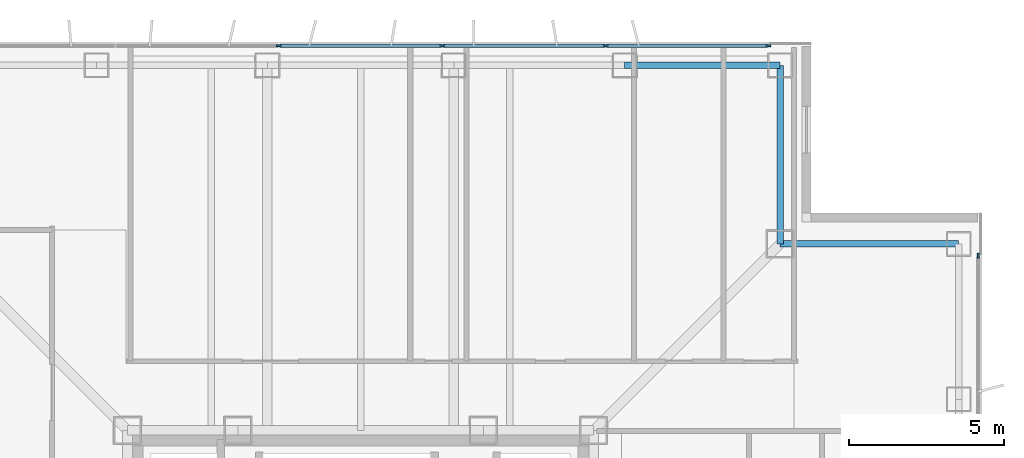
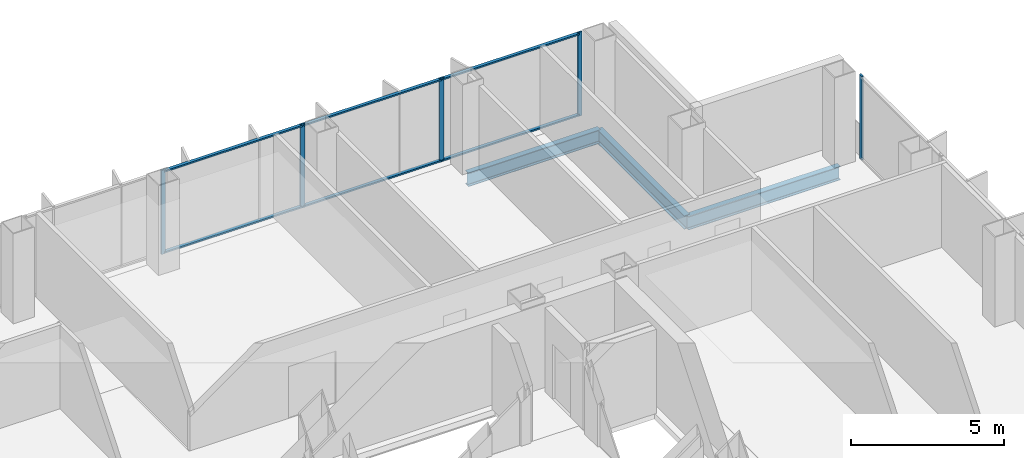
# One storey, part 8 of 17: 11 members, 3 beams, 2 elements without a shape of their own.
"""IFC4 building model written with IfcOpenShell, lengths in metres."""

from ifc_helpers import new_model, si_unit, direction, frame, origin, origin_2d, place, context, subcontext, project, spatial, rectangle, i_section, extrude, material, layer, layer_set, material_profile, profile_set, type_object, element, aggregate, save


model = new_model("IFC4")

# Units and contexts
model_context = context("Model", 3, precision=1e-05, world=origin(), true_north=direction((0.0, 1.0)))
body_context = subcontext(model_context, "Body", "Model", "MODEL_VIEW")
ifc_project = project(units=[si_unit("LENGTHUNIT", "METRE"), si_unit("AREAUNIT", "SQUARE_METRE"), si_unit("VOLUMEUNIT", "CUBIC_METRE"), si_unit("PLANEANGLEUNIT", "RADIAN"), si_unit("MASSUNIT", "GRAM", prefix="KILO")], contexts=[model_context])

# Site, building, storey
site_placement = place(None, origin())
site = spatial("IfcSite", under=ifc_project, at=site_placement, CompositionType="ELEMENT")
building_placement = place(site_placement, origin())
building = spatial("IfcBuilding", under=site, at=building_placement, Name="Trevonay Congress Spire", CompositionType="ELEMENT")
storey_placement = place(building_placement, frame((0.0, 0.0, 184.199951171875)))
storey = spatial("IfcBuildingStorey", under=building, at=storey_placement, Name="L47", CompositionType="ELEMENT", Elevation=184.199951171875)

# Beams
ifc_material_1 = material(Name="Steel ASTM A572 Grade 50", Category="steel")
ifc_material_profile_1 = material_profile(ifc_material_1, i_section(OverallWidth=0.2119140625, OverallDepth=0.5439453125, WebThickness=0.01318359375, FlangeThickness=0.021240234375, FilletRadius=0.014892578125, at=origin_2d()), Name="W530x123")
ifc_profile_set_1 = profile_set([ifc_material_profile_1], Name="Steel ASTM A572 Grade 50")
beam_type = type_object("IfcBeamType", Name="BM-RING-W530X123", PredefinedType="BEAM", material=ifc_profile_set_1)
beam_placement = place(storey_placement, frame((8.5, 19.25, -0.511962890625), z_axis=(1.0, 0.0, 0.0), x_axis=(0.0, 1.0, 0.0)))
element("IfcBeam", 1, at=beam_placement, inside=storey, type_object=beam_type, Name="L47 structural beam BM-L47-PN5", PredefinedType="BEAM", context=body_context, shape_type="SweptSolid", body=[
    extrude(i_section(OverallWidth=0.2119140625, OverallDepth=0.5439453125, WebThickness=0.01318359375, FlangeThickness=0.021240234375, FilletRadius=0.014892578125, at=origin_2d()), origin(), (0.0, 0.0, 1.0), 5.0),
])
for number, where, z_axis, x_axis, name in (
    (2, (13.5, 19.25, -0.511962890625), (0.0, -1.0, 0.0), (1.0, 0.0, 0.0), "L47 structural beam BM-L47-N1NE"),
    (3, (19.25, 13.5, -0.511962890625), (-1.0, 0.0, 0.0), (0.0, -1.0, 0.0), "L47 structural beam BM-L47-N2NE"),
):
    element("IfcBeam", number, at=place(storey_placement, frame(where, z_axis=z_axis, x_axis=x_axis)), inside=storey, type_object=beam_type, Name=name, PredefinedType="BEAM", context=body_context, shape_type="SweptSolid", body=[
        extrude(i_section(OverallWidth=0.2119140625, OverallDepth=0.5439453125, WebThickness=0.01318359375, FlangeThickness=0.021240234375, FilletRadius=0.014892578125, at=origin_2d()), origin(), (0.0, 0.0, 1.0), 5.75),
    ])

# Curtain wall, members
ifc_material_2 = material(Name="Pale Anodised Aluminium EN AW-6063-T6", Category="aluminium")
ifc_layer = layer(ifc_material_2, 0.169921875, Name="Pale Anodised Aluminium EN AW-6063-T6")
ifc_layer_set = layer_set([ifc_layer], Name="Pale Anodised Aluminium EN AW-6063-T6")
curtain_wall_type = type_object("IfcCurtainWallType", Name="CW-SYS04-CORP-PALE-METAL", PredefinedType="NOTDEFINED", material=ifc_layer_set)
curtain_wall_1_placement = place(storey_placement, origin())
curtain_wall_1 = element("IfcCurtainWall", 4, at=curtain_wall_1_placement, inside=storey, type_object=curtain_wall_type, Name="L47 N unitised curtain wall", PredefinedType="NOTDEFINED")
ifc_material_profile_2 = material_profile(ifc_material_2, rectangle(XDim=0.06005859375, YDim=0.159912109375, at=origin_2d()), Name="CW-MULLION-160-ALUMINIUM")
ifc_profile_set_2 = profile_set([ifc_material_profile_2], Name="Pale Anodised Aluminium EN AW-6063-T6")
member_type_1 = type_object("IfcMemberType", Name="CW-MULLION-160-ALUMINIUM", PredefinedType="MULLION", material=ifc_profile_set_2)
member_1_placement = place(storey_placement, frame((-2.6298828125, 19.8798828125, 0.0), z_axis=(0.0, 0.0, 1.0), x_axis=(0.0, 1.0, 0.0)))
member_1 = element("IfcMember", 5, at=member_1_placement, type_object=member_type_1, Name="CW04 mullion 3", PredefinedType="MULLION", context=body_context, shape_type="SweptSolid", body=[
    extrude(rectangle(XDim=0.06005859375, YDim=0.159912109375, at=origin_2d()), origin(), (0.0, 0.0, 1.0), 3.360107421875),
])
member_2_placement = place(storey_placement, frame((2.6298828125, 19.8798828125, 0.0), z_axis=(0.0, 0.0, 1.0), x_axis=(0.0, 1.0, 0.0)))
member_2 = element("IfcMember", 6, at=member_2_placement, type_object=member_type_1, Name="CW04 mullion 4", PredefinedType="MULLION", context=body_context, shape_type="SweptSolid", body=[
    extrude(rectangle(XDim=0.06005859375, YDim=0.159912109375, at=origin_2d()), origin(), (0.0, 0.0, 1.0), 3.360107421875),
])
member_3_placement = place(storey_placement, frame((7.889892578125, 19.8798828125, 0.0), z_axis=(0.0, 0.0, 1.0), x_axis=(0.0, 1.0, 0.0)))
member_3 = element("IfcMember", 7, at=member_3_placement, type_object=member_type_1, Name="CW04 mullion 5", PredefinedType="MULLION", context=body_context, shape_type="SweptSolid", body=[
    extrude(rectangle(XDim=0.06005859375, YDim=0.159912109375, at=origin_2d()), origin(), (0.0, 0.0, 1.0), 3.360107421875),
])
member_4_placement = place(storey_placement, frame((13.1201171875, 19.8798828125, 0.0), z_axis=(0.0, 0.0, 1.0), x_axis=(0.0, 1.0, 0.0)))
member_4 = element("IfcMember", 8, at=member_4_placement, type_object=member_type_1, Name="CW04 mullion 6", PredefinedType="MULLION", context=body_context, shape_type="SweptSolid", body=[
    extrude(rectangle(XDim=0.06005859375, YDim=0.159912109375, at=origin_2d()), origin(), (0.0, 0.0, 1.0), 3.360107421875),
])

# Curtain wall, member
curtain_wall_2_placement = place(storey_placement, origin())
curtain_wall_2 = element("IfcCurtainWall", 9, at=curtain_wall_2_placement, inside=storey, type_object=curtain_wall_type, Name="L47 E unitised curtain wall", PredefinedType="NOTDEFINED")
member_5_placement = place(storey_placement, frame((19.8798828125, 13.1201171875, 0.0), z_axis=(0.0, 0.0, 1.0), x_axis=(-1.0, 0.0, 0.0)))
member_5 = element("IfcMember", 10, at=member_5_placement, type_object=member_type_1, Name="CW04 mullion 6", PredefinedType="MULLION", context=body_context, shape_type="SweptSolid", body=[
    extrude(rectangle(XDim=0.06005859375, YDim=0.159912109375, at=origin_2d()), origin(), (0.0, 0.0, 1.0), 3.360107421875),
])
aggregate(curtain_wall_2, [member_5])

# Member
ifc_material_profile_3 = material_profile(ifc_material_2, rectangle(XDim=0.1201171875, YDim=0.06005859375, at=origin_2d()), Name="CW-TRANSOM-120-ALUMINIUM")
ifc_profile_set_3 = profile_set([ifc_material_profile_3], Name="Pale Anodised Aluminium EN AW-6063-T6")
member_type_2 = type_object("IfcMemberType", Name="CW-TRANSOM-120-ALUMINIUM", PredefinedType="USERDEFINED", material=ifc_profile_set_3)
member_6_placement = place(storey_placement, frame((-2.60009765625, 19.8798828125, 0.06005859375), z_axis=(1.0, 0.0, 0.0), x_axis=(0.0, 1.0, 0.0)))
member_6 = element("IfcMember", 11, at=member_6_placement, type_object=member_type_2, Name="CW04 transom 3.1", ObjectType="TRANSOM", PredefinedType="USERDEFINED", context=body_context, shape_type="SweptSolid", body=[
    extrude(rectangle(XDim=0.1201171875, YDim=0.06005859375, at=origin_2d()), origin(), (0.0, 0.0, 1.0), 5.2001953125),
])

member_7_placement = place(storey_placement, frame((-2.60009765625, 19.8798828125, 3.300048828125), z_axis=(1.0, 0.0, 0.0), x_axis=(0.0, 1.0, 0.0)))
member_7 = element("IfcMember", 12, at=member_7_placement, type_object=member_type_2, Name="CW04 transom 3.2", ObjectType="TRANSOM", PredefinedType="USERDEFINED", context=body_context, shape_type="SweptSolid", body=[
    extrude(rectangle(XDim=0.1201171875, YDim=0.06005859375, at=origin_2d()), origin(), (0.0, 0.0, 1.0), 5.2001953125),
])

member_8_placement = place(storey_placement, frame((2.659912109375, 19.8798828125, 0.06005859375), z_axis=(1.0, 0.0, 0.0), x_axis=(0.0, 1.0, 0.0)))
member_8 = element("IfcMember", 13, at=member_8_placement, type_object=member_type_2, Name="CW04 transom 4.1", ObjectType="TRANSOM", PredefinedType="USERDEFINED", context=body_context, shape_type="SweptSolid", body=[
    extrude(rectangle(XDim=0.1201171875, YDim=0.06005859375, at=origin_2d()), origin(), (0.0, 0.0, 1.0), 5.2001953125),
])

member_9_placement = place(storey_placement, frame((2.659912109375, 19.8798828125, 3.300048828125), z_axis=(1.0, 0.0, 0.0), x_axis=(0.0, 1.0, 0.0)))
member_9 = element("IfcMember", 14, at=member_9_placement, type_object=member_type_2, Name="CW04 transom 4.2", ObjectType="TRANSOM", PredefinedType="USERDEFINED", context=body_context, shape_type="SweptSolid", body=[
    extrude(rectangle(XDim=0.1201171875, YDim=0.06005859375, at=origin_2d()), origin(), (0.0, 0.0, 1.0), 5.2001953125),
])

member_10_placement = place(storey_placement, frame((7.919921875, 19.8798828125, 0.06005859375), z_axis=(1.0, 0.0, 0.0), x_axis=(0.0, 1.0, 0.0)))
member_10 = element("IfcMember", 15, at=member_10_placement, type_object=member_type_2, Name="CW04 transom 5.1", ObjectType="TRANSOM", PredefinedType="USERDEFINED", context=body_context, shape_type="SweptSolid", body=[
    extrude(rectangle(XDim=0.1201171875, YDim=0.06005859375, at=origin_2d()), origin(), (0.0, 0.0, 1.0), 5.170166015625),
])

member_11_placement = place(storey_placement, frame((7.919921875, 19.8798828125, 3.300048828125), z_axis=(1.0, 0.0, 0.0), x_axis=(0.0, 1.0, 0.0)))
member_11 = element("IfcMember", 16, at=member_11_placement, type_object=member_type_2, Name="CW04 transom 5.2", ObjectType="TRANSOM", PredefinedType="USERDEFINED", context=body_context, shape_type="SweptSolid", body=[
    extrude(rectangle(XDim=0.1201171875, YDim=0.06005859375, at=origin_2d()), origin(), (0.0, 0.0, 1.0), 5.170166015625),
])

aggregate(curtain_wall_1, [member_1, member_2, member_3, member_4, member_6, member_7, member_8, member_9, member_10, member_11])

save(model, "model.ifc")
